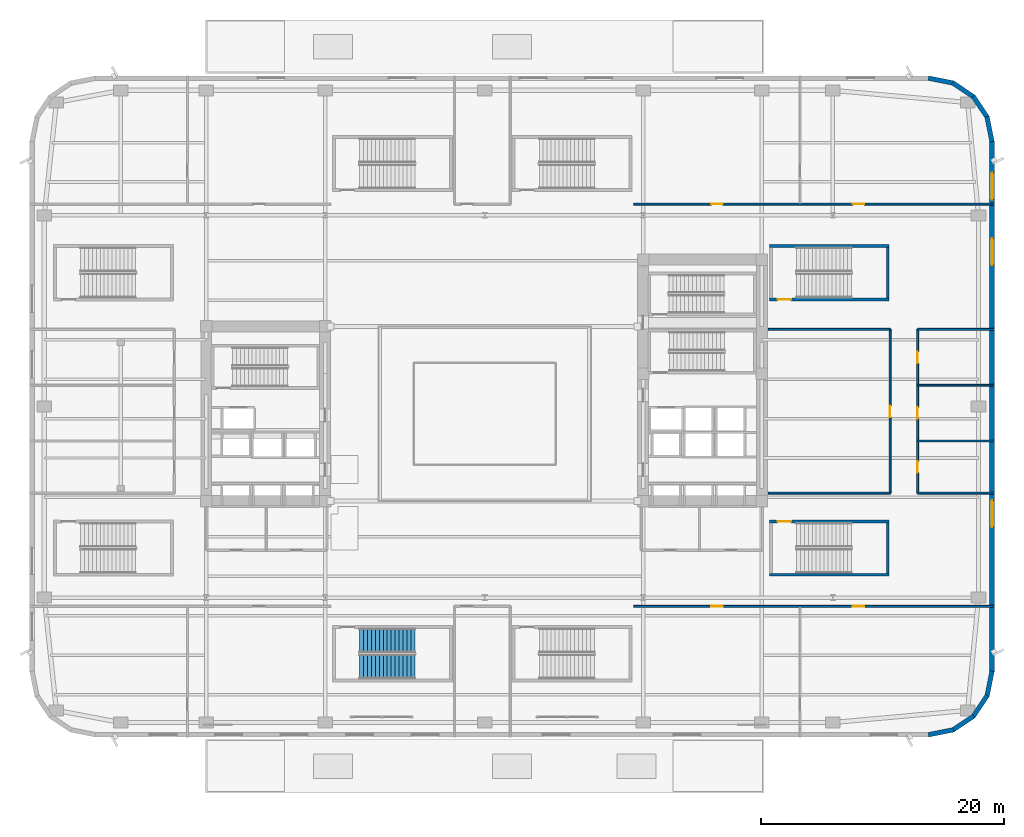
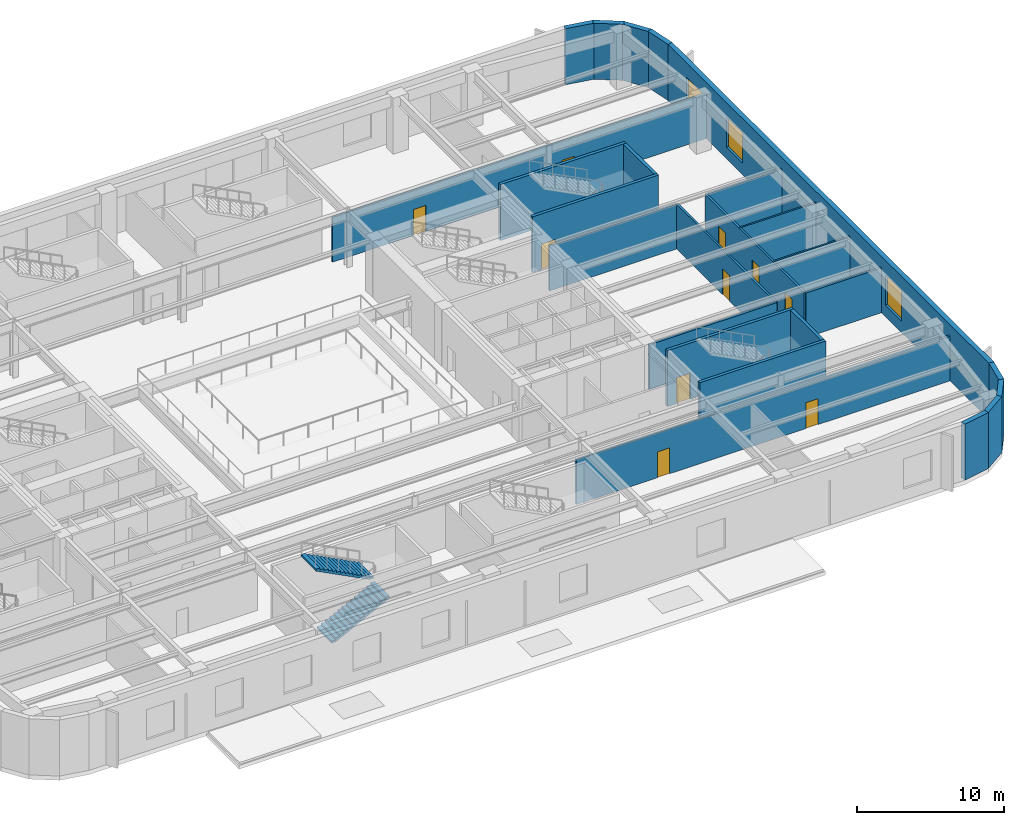
# One storey, part 10 of 24: 25 walls, 10 doors, 3 windows, 2 stair flights, 13 openings, 1 element without a shape of its own.
"""IFC4 building model written with IfcOpenShell, lengths in metres."""

from ifc_helpers import new_model, si_unit, direction, frame, frame_2d, origin, place, context, subcontext, project, spatial, polyline, rectangle, outline, extrude, material, layer, layer_set, type_object, element, fill, aggregate, save


model = new_model("IFC4")

# Units and contexts
model_context = context("Model", 3, precision=1e-05, world=origin(), true_north=direction((0.0, 1.0)))
body_context = subcontext(model_context, "Body", "Model", "MODEL_VIEW")
ifc_project = project(units=[si_unit("LENGTHUNIT", "METRE"), si_unit("AREAUNIT", "SQUARE_METRE"), si_unit("VOLUMEUNIT", "CUBIC_METRE"), si_unit("PLANEANGLEUNIT", "RADIAN"), si_unit("MASSUNIT", "GRAM", prefix="KILO")], contexts=[model_context])

# Site, building, storey
site_placement = place(None, origin())
site = spatial("IfcSite", under=ifc_project, at=site_placement, CompositionType="ELEMENT")
building_placement = place(site_placement, origin())
building = spatial("IfcBuilding", under=site, at=building_placement, Name="Kolvaren Arena Tower", CompositionType="ELEMENT")
storey_placement = place(building_placement, frame((0.0, 0.0, 8.0)))
storey = spatial("IfcBuildingStorey", under=building, at=storey_placement, Name="L01", CompositionType="ELEMENT", Elevation=8.0)

# Wall, opening, door
ifc_material_1 = material(Name="Gypsum board acoustic assembly", Category="gypsum")
ifc_layer_1 = layer(ifc_material_1, 0.159912109375)
ifc_layer_set_1 = layer_set([ifc_layer_1], Name="Gypsum board acoustic assembly")
wall_type_1 = type_object("IfcWallType", Name="CORR-160", PredefinedType="PARTITIONING", material=ifc_layer_set_1)
wall_1_placement = place(storey_placement, frame((70.919921875, 20.10009765625, 0.0), z_axis=(0.0, 0.0, 1.0), x_axis=(0.0, 1.0, 0.0)))
wall_1 = element("IfcWall", 1, at=wall_1_placement, inside=storey, type_object=wall_type_1, Name="Interior Partition Wall (L01)", PredefinedType="PARTITIONING", context=body_context, shape_type="SweptSolid", body=[
    extrude(rectangle(XDim=13.5, YDim=0.159912109375, at=frame_2d((6.75, 0.0))), origin(), (0.0, 0.0, 1.0), 3.7099609375),
])
opening_1_placement = place(wall_1_placement, frame((6.27001953125, 0.0, 0.0)))
opening_1 = element("IfcOpeningElement", 2, at=opening_1_placement, cuts=wall_1, Name="Opening D05", PredefinedType="OPENING", context=body_context, shape_type="SweptSolid", body=[
    extrude(rectangle(XDim=0.949951171875, YDim=2.14990234375, at=frame_2d((0.47509765625, 1.074951171875))), frame((0.0, 0.08984375, 0.0), z_axis=(0.0, -1.0, 0.0), x_axis=(1.0, 0.0, 0.0)), (0.0, 0.0, 1.0), 0.179931640625),
])
ifc_material_2 = material(Name="Solid-core oak acoustic office door", Category="wood")
door_type_1 = type_object("IfcDoorType", Name="DOOR-OF-095", OperationType="NOTDEFINED", PredefinedType="DOOR", material=ifc_material_2)
door_1_placement = place(opening_1_placement, origin())
door_1 = element("IfcDoor", 3, at=door_1_placement, inside=storey, type_object=door_type_1, Name="East VIP Briefing Room Door (L01)", OperationType="SINGLE_SWING_LEFT", OverallHeight=2.14990234375, OverallWidth=0.949951171875, PredefinedType="DOOR", context=body_context, shape_type="SweptSolid", body=[
    extrude(rectangle(XDim=0.949951171875, YDim=2.14990234375, at=frame_2d((0.47509765625, 1.074951171875))), frame((0.0, 0.02490234375, 0.0), z_axis=(0.0, -1.0, 0.0), x_axis=(1.0, 0.0, 0.0)), (0.0, 0.0, 1.0), 0.050048828125),
])
fill(opening_1, door_1)

# Wall, openings, doors
wall_2_placement = place(storey_placement, frame((73.179931640625, 20.10009765625, 0.0), z_axis=(0.0, 0.0, 1.0), x_axis=(0.0, 1.0, 0.0)))
wall_2 = element("IfcWall", 4, at=wall_2_placement, inside=storey, type_object=wall_type_1, Name="Interior Partition Wall (L01)", PredefinedType="PARTITIONING", context=body_context, shape_type="SweptSolid", body=[
    extrude(rectangle(XDim=13.5, YDim=0.159912109375, at=frame_2d((6.75, 0.0))), origin(), (0.0, 0.0, 1.0), 3.7099609375),
])
opening_2_placement = place(wall_2_placement, frame((1.669921875, 0.0, 0.0)))
opening_2 = element("IfcOpeningElement", 5, at=opening_2_placement, cuts=wall_2, Name="Opening D05", PredefinedType="OPENING", context=body_context, shape_type="SweptSolid", body=[
    extrude(rectangle(XDim=0.949951171875, YDim=2.14990234375, at=frame_2d((0.47509765625, 1.074951171875))), frame((0.0, 0.08984375, 0.0), z_axis=(0.0, -1.0, 0.0), x_axis=(1.0, 0.0, 0.0)), (0.0, 0.0, 1.0), 0.179931640625),
])
opening_3_placement = place(wall_2_placement, frame((6.1201171875, 0.0, 0.0)))
opening_3 = element("IfcOpeningElement", 6, at=opening_3_placement, cuts=wall_2, Name="Opening D05", PredefinedType="OPENING", context=body_context, shape_type="SweptSolid", body=[
    extrude(rectangle(XDim=0.949951171875, YDim=2.14990234375, at=frame_2d((0.47509765625, 1.074951171875))), frame((0.0, 0.08984375, 0.0), z_axis=(0.0, -1.0, 0.0), x_axis=(1.0, 0.0, 0.0)), (0.0, 0.0, 1.0), 0.179931640625),
])
opening_4_placement = place(wall_2_placement, frame((10.719970703125, 0.0, 0.0)))
opening_4 = element("IfcOpeningElement", 7, at=opening_4_placement, cuts=wall_2, Name="Opening D05", PredefinedType="OPENING", context=body_context, shape_type="SweptSolid", body=[
    extrude(rectangle(XDim=0.949951171875, YDim=2.14990234375, at=frame_2d((0.47509765625, 1.074951171875))), frame((0.0, 0.08984375, 0.0), z_axis=(0.0, -1.0, 0.0), x_axis=(1.0, 0.0, 0.0)), (0.0, 0.0, 1.0), 0.179931640625),
])
door_2_placement = place(opening_2_placement, origin())
door_2 = element("IfcDoor", 8, at=door_2_placement, inside=storey, type_object=door_type_1, Name="East Hospitality Lounge Door (L01)", OperationType="SINGLE_SWING_RIGHT", OverallHeight=2.14990234375, OverallWidth=0.949951171875, PredefinedType="DOOR", context=body_context, shape_type="SweptSolid", body=[
    extrude(rectangle(XDim=0.949951171875, YDim=2.14990234375, at=frame_2d((0.47509765625, 1.074951171875))), frame((0.0, 0.02490234375, 0.0), z_axis=(0.0, -1.0, 0.0), x_axis=(1.0, 0.0, 0.0)), (0.0, 0.0, 1.0), 0.050048828125),
])
fill(opening_2, door_2)
door_3_placement = place(opening_3_placement, origin())
door_3 = element("IfcDoor", 9, at=door_3_placement, inside=storey, type_object=door_type_1, Name="Catering Pantry Door (L01)", OperationType="SINGLE_SWING_RIGHT", OverallHeight=2.14990234375, OverallWidth=0.949951171875, PredefinedType="DOOR", context=body_context, shape_type="SweptSolid", body=[
    extrude(rectangle(XDim=0.949951171875, YDim=2.14990234375, at=frame_2d((0.47509765625, 1.074951171875))), frame((0.0, 0.02490234375, 0.0), z_axis=(0.0, -1.0, 0.0), x_axis=(1.0, 0.0, 0.0)), (0.0, 0.0, 1.0), 0.050048828125),
])
fill(opening_3, door_3)
door_4_placement = place(opening_4_placement, origin())
door_4 = element("IfcDoor", 10, at=door_4_placement, inside=storey, type_object=door_type_1, Name="Broadcast Control Studio Door (L01)", OperationType="SINGLE_SWING_RIGHT", OverallHeight=2.14990234375, OverallWidth=0.949951171875, PredefinedType="DOOR", context=body_context, shape_type="SweptSolid", body=[
    extrude(rectangle(XDim=0.949951171875, YDim=2.14990234375, at=frame_2d((0.47509765625, 1.074951171875))), frame((0.0, 0.02490234375, 0.0), z_axis=(0.0, -1.0, 0.0), x_axis=(1.0, 0.0, 0.0)), (0.0, 0.0, 1.0), 0.050048828125),
])
fill(opening_4, door_4)

# Walls
for number, where, z_axis, x_axis, name in (
    (11, (60.8798828125, 20.10009765625, 0.0), (0.0, 0.0, 1.0), (1.0, 0.0, 0.0), "Interior Partition Wall (L01)"),
    (12, (60.8798828125, 33.60009765625, 0.0), (0.0, 0.0, 1.0), (1.0, 0.0, 0.0), "Interior Partition Wall (L01)"),
):
    element("IfcWall", number, at=place(storey_placement, frame(where, z_axis=z_axis, x_axis=x_axis)), inside=storey, type_object=wall_type_1, Name=name, PredefinedType="PARTITIONING", context=body_context, shape_type="SweptSolid", body=[
        extrude(rectangle(XDim=10.0400390625, YDim=0.159912109375, at=frame_2d((5.02001953125, 0.0))), origin(), (0.0, 0.0, 1.0), 3.7099609375),
    ])
for number, where, z_axis, x_axis, name in (
    (13, (73.179931640625, 20.10009765625, 0.0), (0.0, 0.0, 1.0), (1.0, 0.0, 0.0), "Interior Partition Wall (L01)"),
    (14, (73.179931640625, 33.60009765625, 0.0), (0.0, 0.0, 1.0), (1.0, 0.0, 0.0), "Interior Partition Wall (L01)"),
):
    element("IfcWall", number, at=place(storey_placement, frame(where, z_axis=z_axis, x_axis=x_axis)), inside=storey, type_object=wall_type_1, Name=name, PredefinedType="PARTITIONING", context=body_context, shape_type="SweptSolid", body=[
        extrude(rectangle(XDim=6.320068359375, YDim=0.159912109375, at=frame_2d((3.16015625, 0.0))), origin(), (0.0, 0.0, 1.0), 3.7099609375),
    ])

# Wall, openings, doors
wall_3_placement = place(storey_placement, frame((49.800048828125, 10.780029296875, 0.0), z_axis=(0.0, 0.0, 1.0), x_axis=(1.0, 0.0, 0.0)))
wall_3 = element("IfcWall", 15, at=wall_3_placement, inside=storey, type_object=wall_type_1, Name="Interior Partition Wall (L01)", PredefinedType="PARTITIONING", context=body_context, shape_type="SweptSolid", body=[
    extrude(rectangle(XDim=29.699951171875, YDim=0.159912109375, at=frame_2d((14.85009765625, 0.0))), origin(), (0.0, 0.0, 1.0), 3.7099609375),
])
opening_5_placement = place(wall_3_placement, frame((6.3701171875, 0.0, 0.0)))
opening_5 = element("IfcOpeningElement", 16, at=opening_5_placement, cuts=wall_3, Name="Opening D05", PredefinedType="OPENING", context=body_context, shape_type="SweptSolid", body=[
    extrude(rectangle(XDim=0.949951171875, YDim=2.14990234375, at=frame_2d((0.47509765625, 1.074951171875))), frame((0.0, 0.08984375, 0.0), z_axis=(0.0, -1.0, 0.0), x_axis=(1.0, 0.0, 0.0)), (0.0, 0.0, 1.0), 0.179931640625),
])
opening_6_placement = place(wall_3_placement, frame((18.02001953125, 0.0, 0.0)))
opening_6 = element("IfcOpeningElement", 17, at=opening_6_placement, cuts=wall_3, Name="Opening D05", PredefinedType="OPENING", context=body_context, shape_type="SweptSolid", body=[
    extrude(rectangle(XDim=0.949951171875, YDim=2.14990234375, at=frame_2d((0.47509765625, 1.074951171875))), frame((0.0, 0.08984375, 0.0), z_axis=(0.0, -1.0, 0.0), x_axis=(1.0, 0.0, 0.0)), (0.0, 0.0, 1.0), 0.179931640625),
])
door_5_placement = place(opening_5_placement, origin())
door_5 = element("IfcDoor", 18, at=door_5_placement, inside=storey, type_object=door_type_1, Name="South-East Dining Hall Door (L01)", OperationType="SINGLE_SWING_LEFT", OverallHeight=2.14990234375, OverallWidth=0.949951171875, PredefinedType="DOOR", context=body_context, shape_type="SweptSolid", body=[
    extrude(rectangle(XDim=0.949951171875, YDim=2.14990234375, at=frame_2d((0.47509765625, 1.074951171875))), frame((0.0, 0.02490234375, 0.0), z_axis=(0.0, -1.0, 0.0), x_axis=(1.0, 0.0, 0.0)), (0.0, 0.0, 1.0), 0.050048828125),
])
fill(opening_5, door_5)
door_6_placement = place(opening_6_placement, origin())
door_6 = element("IfcDoor", 19, at=door_6_placement, inside=storey, type_object=door_type_1, Name="Beverage Commissary Door (L01)", OperationType="SINGLE_SWING_RIGHT", OverallHeight=2.14990234375, OverallWidth=0.949951171875, PredefinedType="DOOR", context=body_context, shape_type="SweptSolid", body=[
    extrude(rectangle(XDim=0.949951171875, YDim=2.14990234375, at=frame_2d((0.47509765625, 1.074951171875))), frame((0.0, 0.02490234375, 0.0), z_axis=(0.0, -1.0, 0.0), x_axis=(1.0, 0.0, 0.0)), (0.0, 0.0, 1.0), 0.050048828125),
])
fill(opening_6, door_6)

wall_4_placement = place(storey_placement, frame((49.800048828125, 43.919921875, 0.0), z_axis=(0.0, 0.0, 1.0), x_axis=(1.0, 0.0, 0.0)))
wall_4 = element("IfcWall", 20, at=wall_4_placement, inside=storey, type_object=wall_type_1, Name="Interior Partition Wall (L01)", PredefinedType="PARTITIONING", context=body_context, shape_type="SweptSolid", body=[
    extrude(rectangle(XDim=29.699951171875, YDim=0.159912109375, at=frame_2d((14.85009765625, 0.0))), origin(), (0.0, 0.0, 1.0), 3.7099609375),
])
opening_7_placement = place(wall_4_placement, frame((6.3701171875, 0.0, 0.0)))
opening_7 = element("IfcOpeningElement", 21, at=opening_7_placement, cuts=wall_4, Name="Opening D05", PredefinedType="OPENING", context=body_context, shape_type="SweptSolid", body=[
    extrude(rectangle(XDim=0.949951171875, YDim=2.14990234375, at=frame_2d((0.47509765625, 1.074951171875))), frame((0.0, 0.08984375, 0.0), z_axis=(0.0, -1.0, 0.0), x_axis=(1.0, 0.0, 0.0)), (0.0, 0.0, 1.0), 0.179931640625),
])
opening_8_placement = place(wall_4_placement, frame((18.02001953125, 0.0, 0.0)))
opening_8 = element("IfcOpeningElement", 22, at=opening_8_placement, cuts=wall_4, Name="Opening D05", PredefinedType="OPENING", context=body_context, shape_type="SweptSolid", body=[
    extrude(rectangle(XDim=0.949951171875, YDim=2.14990234375, at=frame_2d((0.47509765625, 1.074951171875))), frame((0.0, 0.08984375, 0.0), z_axis=(0.0, -1.0, 0.0), x_axis=(1.0, 0.0, 0.0)), (0.0, 0.0, 1.0), 0.179931640625),
])
door_7_placement = place(opening_7_placement, origin())
door_7 = element("IfcDoor", 23, at=door_7_placement, inside=storey, type_object=door_type_1, Name="North-East Sponsor Hall Door (L01)", OperationType="SINGLE_SWING_LEFT", OverallHeight=2.14990234375, OverallWidth=0.949951171875, PredefinedType="DOOR", context=body_context, shape_type="SweptSolid", body=[
    extrude(rectangle(XDim=0.949951171875, YDim=2.14990234375, at=frame_2d((0.47509765625, 1.074951171875))), frame((0.0, 0.02490234375, 0.0), z_axis=(0.0, -1.0, 0.0), x_axis=(1.0, 0.0, 0.0)), (0.0, 0.0, 1.0), 0.050048828125),
])
fill(opening_7, door_7)
door_8_placement = place(opening_8_placement, origin())
door_8 = element("IfcDoor", 24, at=door_8_placement, inside=storey, type_object=door_type_1, Name="Media Hospitality Room Door (L01)", OperationType="SINGLE_SWING_RIGHT", OverallHeight=2.14990234375, OverallWidth=0.949951171875, PredefinedType="DOOR", context=body_context, shape_type="SweptSolid", body=[
    extrude(rectangle(XDim=0.949951171875, YDim=2.14990234375, at=frame_2d((0.47509765625, 1.074951171875))), frame((0.0, 0.02490234375, 0.0), z_axis=(0.0, -1.0, 0.0), x_axis=(1.0, 0.0, 0.0)), (0.0, 0.0, 1.0), 0.050048828125),
])
fill(opening_8, door_8)

# Walls
ifc_material_3 = material(Name="Precast concrete C50/60", Category="concrete")
ifc_layer_2 = layer(ifc_material_3, 0.3798828125)
ifc_layer_set_2 = layer_set([ifc_layer_2], Name="Precast concrete C50/60")
wall_type_2 = type_object("IfcWallType", Name="EXT-ARENA", PredefinedType="SOLIDWALL", material=ifc_layer_set_2)
for number, where, z_axis, x_axis, name in (
    (25, (76.12939453125, 0.597412109375, 0.0), (0.0, 0.0, 1.0), (-0.9807762837, -0.195135546048, 0.0), "Exterior Precast Masonry-Frame Wall (L01)"),
    (26, (77.812744140625, 1.739501953125, 0.0), (0.0, 0.0, 1.0), (-0.831515102434, -0.555502146192, 0.0), "Exterior Precast Masonry-Frame Wall (L01)"),
    (27, (78.930908203125, 3.439208984375, 0.0), (0.0, 0.0, 1.0), (-0.555502146192, -0.831515102434, 0.0), "Exterior Precast Masonry-Frame Wall (L01)"),
    (28, (79.313720703125, 5.43701171875, 0.0), (0.0, 0.0, 1.0), (-0.195135546048, -0.9807762837, 0.0), "Exterior Precast Masonry-Frame Wall (L01)"),
):
    element("IfcWall", number, at=place(storey_placement, frame(where, z_axis=z_axis, x_axis=x_axis)), inside=storey, type_object=wall_type_2, Name=name, PredefinedType="SOLIDWALL", context=body_context, shape_type="SweptSolid", body=[
        extrude(rectangle(XDim=2.10693359375, YDim=0.3798828125, at=frame_2d((1.053466796875, 0.0))), origin(), (0.0, 0.0, 1.0), 4.64990234375),
    ])

# Wall, openings, windows
wall_5_placement = place(storey_placement, frame((79.31005859375, 49.10009765625, 0.0), z_axis=(0.0, 0.0, 1.0), x_axis=(0.0, -1.0, 0.0)))
wall_5 = element("IfcWall", 29, at=wall_5_placement, inside=storey, type_object=wall_type_2, Name="Exterior Precast Masonry-Frame Wall (L01)", PredefinedType="SOLIDWALL", context=body_context, shape_type="SweptSolid", body=[
    extrude(rectangle(XDim=43.7001953125, YDim=0.3798828125, at=frame_2d((21.85009765625, 0.0))), origin(), (0.0, 0.0, 1.0), 4.64990234375),
])
opening_9_placement = place(wall_5_placement, frame((2.60009765625, 0.0, 0.949951171875)))
opening_9 = element("IfcOpeningElement", 30, at=opening_9_placement, cuts=wall_5, Name="Opening W07", PredefinedType="OPENING", context=body_context, shape_type="SweptSolid", body=[
    extrude(rectangle(XDim=2.199951171875, YDim=2.5, at=frame_2d((1.10009765625, 1.25))), frame((0.0, 0.199951171875, 0.0), z_axis=(0.0, -1.0, 0.0), x_axis=(1.0, 0.0, 0.0)), (0.0, 0.0, 1.0), 0.39990234375),
])
opening_10_placement = place(wall_5_placement, frame((8.0, 0.0, 0.949951171875)))
opening_10 = element("IfcOpeningElement", 31, at=opening_10_placement, cuts=wall_5, Name="Opening W07", PredefinedType="OPENING", context=body_context, shape_type="SweptSolid", body=[
    extrude(rectangle(XDim=2.199951171875, YDim=2.5, at=frame_2d((1.10009765625, 1.25))), frame((0.0, 0.199951171875, 0.0), z_axis=(0.0, -1.0, 0.0), x_axis=(1.0, 0.0, 0.0)), (0.0, 0.0, 1.0), 0.39990234375),
])
opening_11_placement = place(wall_5_placement, frame((29.60009765625, 0.0, 0.949951171875)))
opening_11 = element("IfcOpeningElement", 32, at=opening_11_placement, cuts=wall_5, Name="Opening W07", PredefinedType="OPENING", context=body_context, shape_type="SweptSolid", body=[
    extrude(rectangle(XDim=2.199951171875, YDim=2.5, at=frame_2d((1.10009765625, 1.25))), frame((0.0, 0.199951171875, 0.0), z_axis=(0.0, -1.0, 0.0), x_axis=(1.0, 0.0, 0.0)), (0.0, 0.0, 1.0), 0.39990234375),
])
ifc_material_4 = material(Name="Triple-glazed arena concourse window", Category="glass")
window_type = type_object("IfcWindowType", Name="WIN-POD-A", PartitioningType="DOUBLE_PANEL_VERTICAL", PredefinedType="WINDOW", material=ifc_material_4)
window_1_placement = place(opening_9_placement, origin())
window_1 = element("IfcWindow", 33, at=window_1_placement, inside=storey, type_object=window_type, Name="Punched Precast-Pier Window (L01)", OverallHeight=2.5, OverallWidth=2.199951171875, PartitioningType="DOUBLE_PANEL_VERTICAL", PredefinedType="WINDOW", context=body_context, shape_type="SweptSolid", body=[
    extrude(rectangle(XDim=2.199951171875, YDim=2.5, at=frame_2d((1.10009765625, 1.25))), frame((0.0, 0.030029296875, 0.0), z_axis=(0.0, -1.0, 0.0), x_axis=(1.0, 0.0, 0.0)), (0.0, 0.0, 1.0), 0.06005859375),
])
fill(opening_9, window_1)
window_2_placement = place(opening_10_placement, origin())
window_2 = element("IfcWindow", 34, at=window_2_placement, inside=storey, type_object=window_type, Name="Punched Precast-Pier Window (L01)", OverallHeight=2.5, OverallWidth=2.199951171875, PartitioningType="DOUBLE_PANEL_VERTICAL", PredefinedType="WINDOW", context=body_context, shape_type="SweptSolid", body=[
    extrude(rectangle(XDim=2.199951171875, YDim=2.5, at=frame_2d((1.10009765625, 1.25))), frame((0.0, 0.030029296875, 0.0), z_axis=(0.0, -1.0, 0.0), x_axis=(1.0, 0.0, 0.0)), (0.0, 0.0, 1.0), 0.06005859375),
])
fill(opening_10, window_2)
window_3_placement = place(opening_11_placement, origin())
window_3 = element("IfcWindow", 35, at=window_3_placement, inside=storey, type_object=window_type, Name="Punched Precast-Pier Window (L01)", OverallHeight=2.5, OverallWidth=2.199951171875, PartitioningType="DOUBLE_PANEL_VERTICAL", PredefinedType="WINDOW", context=body_context, shape_type="SweptSolid", body=[
    extrude(rectangle(XDim=2.199951171875, YDim=2.5, at=frame_2d((1.10009765625, 1.25))), frame((0.0, 0.030029296875, 0.0), z_axis=(0.0, -1.0, 0.0), x_axis=(1.0, 0.0, 0.0)), (0.0, 0.0, 1.0), 0.06005859375),
])
fill(opening_11, window_3)

# Walls
for number, where, z_axis, x_axis, name in (
    (36, (78.902587890625, 51.12939453125, 0.0), (0.0, 0.0, 1.0), (0.195135546048, -0.9807762837, 0.0), "Exterior Precast Masonry-Frame Wall (L01)"),
    (37, (77.760498046875, 52.812744140625, 0.0), (0.0, 0.0, 1.0), (0.555502146192, -0.831515102434, 0.0), "Exterior Precast Masonry-Frame Wall (L01)"),
    (38, (76.060791015625, 53.930908203125, 0.0), (0.0, 0.0, 1.0), (0.831515102434, -0.555502146192, 0.0), "Exterior Precast Masonry-Frame Wall (L01)"),
    (39, (74.06298828125, 54.313720703125, 0.0), (0.0, 0.0, 1.0), (0.9807762837, -0.195135546048, 0.0), "Exterior Precast Masonry-Frame Wall (L01)"),
):
    element("IfcWall", number, at=place(storey_placement, frame(where, z_axis=z_axis, x_axis=x_axis)), inside=storey, type_object=wall_type_2, Name=name, PredefinedType="SOLIDWALL", context=body_context, shape_type="SweptSolid", body=[
        extrude(rectangle(XDim=2.10693359375, YDim=0.3798828125, at=frame_2d((1.053466796875, 0.0))), origin(), (0.0, 0.0, 1.0), 4.64990234375),
    ])
ifc_material_5 = material(Name="Gypsum board partition assembly", Category="gypsum")
ifc_layer_3 = layer(ifc_material_5, 0.135009765625)
ifc_layer_set_3 = layer_set([ifc_layer_3], Name="Gypsum board partition assembly")
wall_type_3 = type_object("IfcWallType", Name="PART-135", PredefinedType="PARTITIONING", material=ifc_layer_set_3)
for number, where, z_axis, x_axis, name in (
    (40, (73.179931640625, 24.39990234375, 0.0), (0.0, 0.0, 1.0), (1.0, 0.0, 0.0), "Interior Partition Wall (L01)"),
    (41, (73.179931640625, 29.0, 0.0), (0.0, 0.0, 1.0), (1.0, 0.0, 0.0), "Interior Partition Wall (L01)"),
):
    element("IfcWall", number, at=place(storey_placement, frame(where, z_axis=z_axis, x_axis=x_axis)), inside=storey, type_object=wall_type_3, Name=name, PredefinedType="PARTITIONING", context=body_context, shape_type="SweptSolid", body=[
        extrude(rectangle(XDim=6.320068359375, YDim=0.135009765625, at=frame_2d((3.16015625, 0.0))), origin(), (0.0, 0.0, 1.0), 3.7099609375),
    ])

# Wall, opening, door
ifc_material_6 = material(Name="Concrete 45 MPa", Category="concrete")
ifc_layer_4 = layer(ifc_material_6, 0.25)
ifc_layer_set_4 = layer_set([ifc_layer_4], Name="Concrete 45 MPa")
wall_type_4 = type_object("IfcWallType", Name="SHAFT-250", PredefinedType="SOLIDWALL", material=ifc_layer_set_4)
wall_6_placement = place(storey_placement, frame((60.9599609375, 17.77001953125, 0.0), z_axis=(0.0, 0.0, 1.0), x_axis=(1.0, 0.0, 0.0)))
wall_6 = element("IfcWall", 42, at=wall_6_placement, inside=storey, type_object=wall_type_4, Name="Stair ST-A4 Rated Enclosure Wall (L01)", PredefinedType="SOLIDWALL", context=body_context, shape_type="SweptSolid", body=[
    extrude(rectangle(XDim=9.880126953125, YDim=0.239990234375, at=frame_2d((4.93994140625, 0.0))), origin(), (0.0, 0.0, 1.0), 4.64990234375),
])
opening_12_placement = place(wall_6_placement, frame((0.68994140625, 0.0, 0.0)))
opening_12 = element("IfcOpeningElement", 43, at=opening_12_placement, cuts=wall_6, Name="Opening D03", PredefinedType="OPENING", context=body_context, shape_type="SweptSolid", body=[
    extrude(rectangle(XDim=1.10009765625, YDim=2.14990234375, at=frame_2d((0.550048828125, 1.074951171875))), frame((0.0, 0.1298828125, 0.0), z_axis=(0.0, -1.0, 0.0), x_axis=(1.0, 0.0, 0.0)), (0.0, 0.0, 1.0), 0.260009765625),
])
ifc_material_7 = material(Name="Fire-rated steel exit stair door", Category="steel")
door_type_2 = type_object("IfcDoorType", Name="DOOR-ST-110", OperationType="NOTDEFINED", PredefinedType="DOOR", material=ifc_material_7)
door_9_placement = place(opening_12_placement, origin())
door_9 = element("IfcDoor", 44, at=door_9_placement, inside=storey, type_object=door_type_2, Name="Exit Stair ST-A4 Fire Door (L01)", OperationType="SINGLE_SWING_RIGHT", OverallHeight=2.14990234375, OverallWidth=1.10009765625, PredefinedType="DOOR", context=body_context, shape_type="SweptSolid", body=[
    extrude(rectangle(XDim=1.10009765625, YDim=2.14990234375, at=frame_2d((0.550048828125, 1.074951171875))), frame((0.0, 0.02490234375, 0.0), z_axis=(0.0, -1.0, 0.0), x_axis=(1.0, 0.0, 0.0)), (0.0, 0.0, 1.0), 0.050048828125),
])
fill(opening_12, door_9)

# Walls
wall_7_placement = place(storey_placement, frame((60.9599609375, 13.3798828125, 0.0), z_axis=(0.0, 0.0, 1.0), x_axis=(1.0, 0.0, 0.0)))
element("IfcWall", 45, at=wall_7_placement, inside=storey, type_object=wall_type_4, Name="Stair ST-A4 Rear Shaft Wall (L01)", PredefinedType="SOLIDWALL", context=body_context, shape_type="SweptSolid", body=[
    extrude(rectangle(XDim=9.880126953125, YDim=0.239990234375, at=frame_2d((4.93994140625, 0.0))), origin(), (0.0, 0.0, 1.0), 4.64990234375),
])
wall_8_placement = place(storey_placement, frame((70.719970703125, 13.5, 0.0), z_axis=(0.0, 0.0, 1.0), x_axis=(0.0, 1.0, 0.0)))
element("IfcWall", 46, at=wall_8_placement, inside=storey, type_object=wall_type_4, Name="Stair ST-A4 East Shaft Wall (L01)", PredefinedType="SOLIDWALL", context=body_context, shape_type="SweptSolid", body=[
    extrude(rectangle(XDim=4.14990234375, YDim=0.239990234375, at=frame_2d((2.074951171875, 0.0))), origin(), (0.0, 0.0, 1.0), 4.64990234375),
])

# Wall, opening, door
wall_9_placement = place(storey_placement, frame((70.840087890625, 36.080078125, 0.0), z_axis=(0.0, 0.0, 1.0), x_axis=(-1.0, 0.0, 0.0)))
wall_9 = element("IfcWall", 47, at=wall_9_placement, inside=storey, type_object=wall_type_4, Name="Stair ST-A8 Rated Enclosure Wall (L01)", PredefinedType="SOLIDWALL", context=body_context, shape_type="SweptSolid", body=[
    extrude(rectangle(XDim=9.880126953125, YDim=0.239990234375, at=frame_2d((4.93994140625, 0.0))), origin(), (0.0, 0.0, 1.0), 4.64990234375),
])
opening_13_placement = place(wall_9_placement, frame((8.090087890625, 0.0, 0.0)))
opening_13 = element("IfcOpeningElement", 48, at=opening_13_placement, cuts=wall_9, Name="Opening D03", PredefinedType="OPENING", context=body_context, shape_type="SweptSolid", body=[
    extrude(rectangle(XDim=1.10009765625, YDim=2.14990234375, at=frame_2d((0.550048828125, 1.074951171875))), frame((0.0, 0.1298828125, 0.0), z_axis=(0.0, -1.0, 0.0), x_axis=(1.0, 0.0, 0.0)), (0.0, 0.0, 1.0), 0.260009765625),
])
door_10_placement = place(opening_13_placement, origin())
door_10 = element("IfcDoor", 49, at=door_10_placement, inside=storey, type_object=door_type_2, Name="Exit Stair ST-A8 Fire Door (L01)", OperationType="SINGLE_SWING_RIGHT", OverallHeight=2.14990234375, OverallWidth=1.10009765625, PredefinedType="DOOR", context=body_context, shape_type="SweptSolid", body=[
    extrude(rectangle(XDim=1.10009765625, YDim=2.14990234375, at=frame_2d((0.550048828125, 1.074951171875))), frame((0.0, 0.02490234375, 0.0), z_axis=(0.0, -1.0, 0.0), x_axis=(1.0, 0.0, 0.0)), (0.0, 0.0, 1.0), 0.050048828125),
])
fill(opening_13, door_10)

# Walls
wall_10_placement = place(storey_placement, frame((60.9599609375, 40.469970703125, 0.0), z_axis=(0.0, 0.0, 1.0), x_axis=(1.0, 0.0, 0.0)))
element("IfcWall", 50, at=wall_10_placement, inside=storey, type_object=wall_type_4, Name="Stair ST-A8 Rear Shaft Wall (L01)", PredefinedType="SOLIDWALL", context=body_context, shape_type="SweptSolid", body=[
    extrude(rectangle(XDim=9.880126953125, YDim=0.239990234375, at=frame_2d((4.93994140625, 0.0))), origin(), (0.0, 0.0, 1.0), 4.64990234375),
])
wall_11_placement = place(storey_placement, frame((70.719970703125, 36.199951171875, 0.0), z_axis=(0.0, 0.0, 1.0), x_axis=(0.0, 1.0, 0.0)))
element("IfcWall", 51, at=wall_11_placement, inside=storey, type_object=wall_type_4, Name="Stair ST-A8 East Shaft Wall (L01)", PredefinedType="SOLIDWALL", context=body_context, shape_type="SweptSolid", body=[
    extrude(rectangle(XDim=4.150146484375, YDim=0.239990234375, at=frame_2d((2.0751953125, 0.0))), origin(), (0.0, 0.0, 1.0), 4.64990234375),
])

# Stair, stair flights
stair_type = type_object("IfcStairType", Name="STAIR-ARENA-220", PredefinedType="HALF_TURN_STAIR", material=ifc_material_6)
stair_placement = place(storey_placement, origin())
stair = element("IfcStair", 52, at=stair_placement, inside=storey, type_object=stair_type, Name="L01 ST-A2", PredefinedType="HALF_TURN_STAIR")
stair_flight_type = type_object("IfcStairFlightType", Name="FLT-220", PredefinedType="STRAIGHT", material=ifc_material_6)
stair_flight_1_placement = place(storey_placement, frame((27.199951171875, 5.800048828125, 0.0), z_axis=(0.0, 0.0, 1.0), x_axis=(1.0, 0.0, 0.0)))
stair_flight_1 = element("IfcStairFlight", 53, at=stair_flight_1_placement, type_object=stair_flight_type, Name="ST-A2 flight 1", NumberOfRisers=15, NumberOfTreads=14, PredefinedType="STRAIGHT", RiserHeight=0.166666667, TreadLength=0.324, context=body_context, shape_type="SweptSolid", body=[
    extrude(outline(polyline([(0.0, 0.0), (0.0, 0.166748046875), (0.323974609375, 0.166748046875), (0.323974609375, 0.333251953125), (0.64794921875, 0.333251953125), (0.64794921875, 0.5), (0.971923828125, 0.5), (0.971923828125, 0.666748046875), (1.2958984375, 0.666748046875), (1.2958984375, 0.833251953125), (1.6201171875, 0.833251953125), (1.6201171875, 1.0), (1.944091796875, 1.0), (1.944091796875, 1.166748046875), (2.26806640625, 1.166748046875), (2.26806640625, 1.333251953125), (2.592041015625, 1.333251953125), (2.592041015625, 1.5), (2.916015625, 1.5), (2.916015625, 1.666748046875), (3.239990234375, 1.666748046875), (3.239990234375, 1.833251953125), (3.56396484375, 1.833251953125), (3.56396484375, 2.0), (3.887939453125, 2.0), (3.887939453125, 2.166748046875), (4.2119140625, 2.166748046875), (4.2119140625, 2.333251953125), (4.535888671875, 2.333251953125), (4.535888671875, 2.5), (4.535888671875, 2.164794921875), (0.32763671875, 0.0), (0.0, 0.0)])), frame((0.0, 1.0, 0.0), z_axis=(0.0, -1.0, 0.0), x_axis=(1.0, 0.0, 0.0)), (0.0, 0.0, 1.0), 2.0),
])
stair_flight_2_placement = place(storey_placement, frame((31.736083984375, 7.949951171875, 2.5), z_axis=(0.0, 0.0, 1.0), x_axis=(-1.0, 0.0, 0.0)))
stair_flight_2 = element("IfcStairFlight", 54, at=stair_flight_2_placement, type_object=stair_flight_type, Name="ST-A2 flight 2", NumberOfRisers=15, NumberOfTreads=14, PredefinedType="STRAIGHT", RiserHeight=0.166666667, TreadLength=0.324, context=body_context, shape_type="SweptSolid", body=[
    extrude(outline(polyline([(0.0, 0.0), (0.0, 0.166748046875), (0.323974609375, 0.166748046875), (0.323974609375, 0.333251953125), (0.64794921875, 0.333251953125), (0.64794921875, 0.5), (0.971923828125, 0.5), (0.971923828125, 0.666748046875), (1.2958984375, 0.666748046875), (1.2958984375, 0.833251953125), (1.6201171875, 0.833251953125), (1.6201171875, 1.0), (1.944091796875, 1.0), (1.944091796875, 1.166748046875), (2.26806640625, 1.166748046875), (2.26806640625, 1.333251953125), (2.592041015625, 1.333251953125), (2.592041015625, 1.5), (2.916015625, 1.5), (2.916015625, 1.666748046875), (3.239990234375, 1.666748046875), (3.239990234375, 1.833251953125), (3.56396484375, 1.833251953125), (3.56396484375, 2.0), (3.887939453125, 2.0), (3.887939453125, 2.166748046875), (4.2119140625, 2.166748046875), (4.2119140625, 2.333251953125), (4.535888671875, 2.333251953125), (4.535888671875, 2.5), (4.535888671875, 2.164794921875), (0.32763671875, 0.0), (0.0, 0.0)])), frame((0.0, 1.0, 0.0), z_axis=(0.0, -1.0, 0.0), x_axis=(1.0, 0.0, 0.0)), (0.0, 0.0, 1.0), 2.0),
])
aggregate(stair, [stair_flight_1, stair_flight_2])

save(model, "model.ifc")
